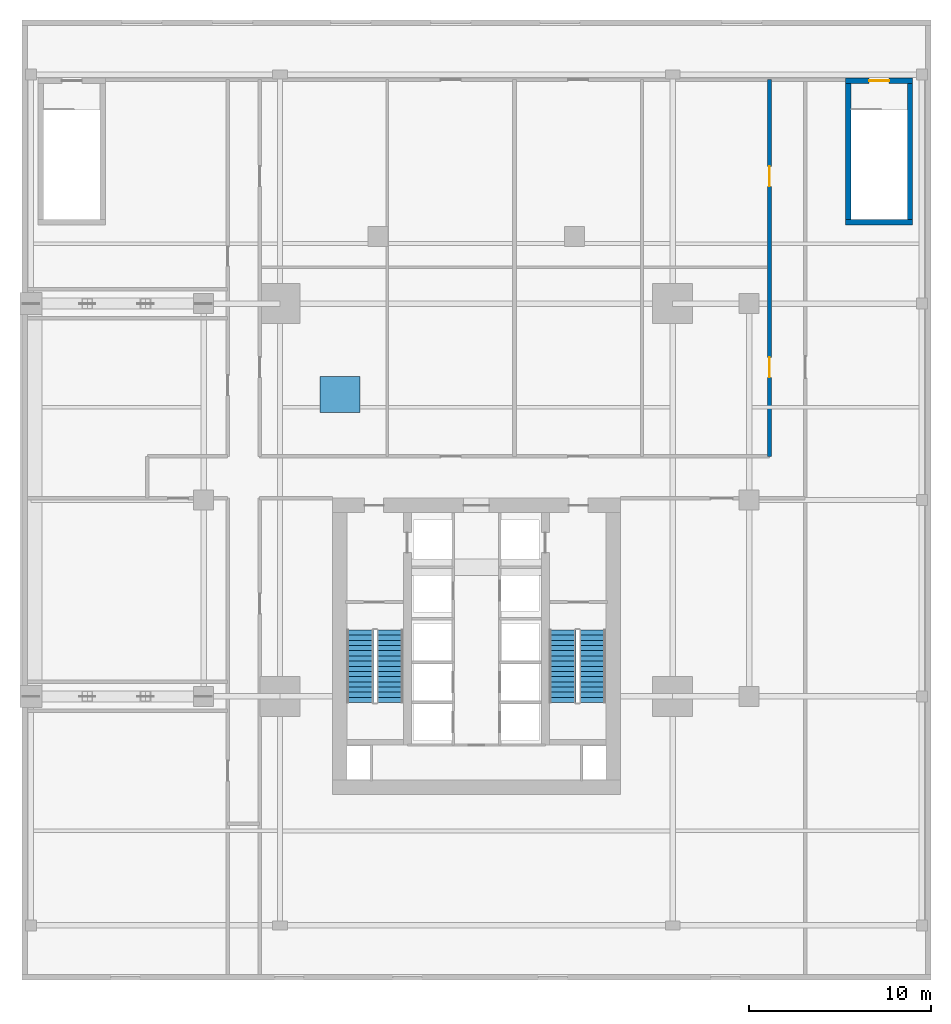
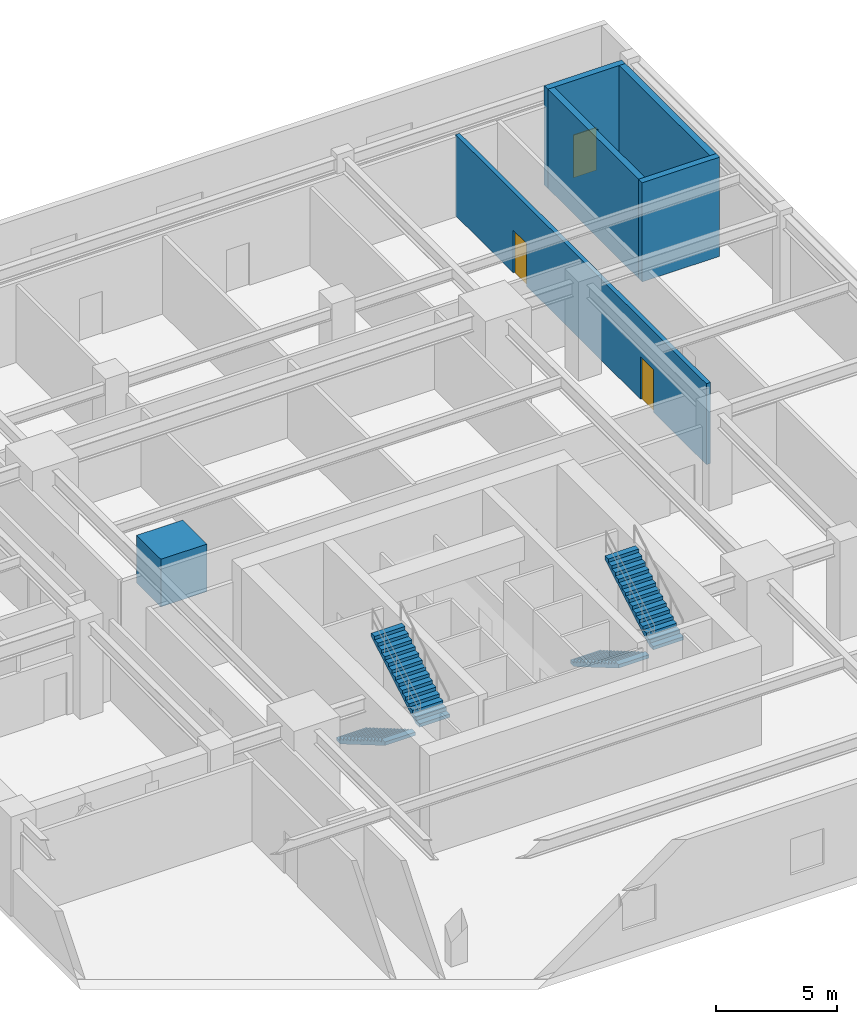
# One storey, part 5 of 7: 5 walls, 4 stair flights, 3 doors, 1 discrete accessory, 3 openings, 2 elements without a shape of their own.
"""IFC4 building model written with IfcOpenShell, lengths in metres."""

from ifc_helpers import new_model, si_unit, direction, frame, frame_2d, origin, origin_2d, place, context, subcontext, project, spatial, polyline, rectangle, outline, extrude, source, transform, mapped, material, layer, layer_set, type_object, type_shapes, element, fill, aggregate, save


model = new_model("IFC4")

# Units and contexts
model_context = context("Model", 3, precision=1e-05, world=origin(), true_north=direction((0.0, 1.0)))
body_context = subcontext(model_context, "Body", "Model", "MODEL_VIEW")
ifc_project = project(units=[si_unit("LENGTHUNIT", "METRE"), si_unit("AREAUNIT", "SQUARE_METRE"), si_unit("VOLUMEUNIT", "CUBIC_METRE"), si_unit("PLANEANGLEUNIT", "RADIAN"), si_unit("MASSUNIT", "GRAM", prefix="KILO")], contexts=[model_context])

# Site, building, storey
site_placement = place(None, origin())
site = spatial("IfcSite", under=ifc_project, at=site_placement, CompositionType="ELEMENT")
building_placement = place(site_placement, origin())
building = spatial("IfcBuilding", under=site, at=building_placement, Name="Krantzveldt Concourse Tower", CompositionType="ELEMENT")
storey_placement = place(building_placement, frame((0.0, 0.0, 20.0)))
storey = spatial("IfcBuildingStorey", under=building, at=storey_placement, Name="L04", CompositionType="ELEMENT", Elevation=20.0)

# Wall, openings, doors
ifc_material_1 = material(Name="Fire-rated gypsum plasterboard on steel stud", Category="steel")
ifc_layer_1 = layer(ifc_material_1, 0.199951171875, Name="Fire-rated gypsum plasterboard on steel stud", Category="steel")
ifc_layer_set_1 = layer_set([ifc_layer_1], Name="Fire-rated gypsum plasterboard on steel stud (WL-PART-FR200)")
wall_type_1 = type_object("IfcWallType", Name="WL-PART-FR200", PredefinedType="PARTITIONING", material=ifc_layer_set_1)
wall_1_placement = place(storey_placement, frame((52.1201171875, 29.10009765625, 0.0), z_axis=(0.0, 0.0, 1.0), x_axis=(0.0, 1.0, 0.0)))
wall_1 = element("IfcWall", 1, at=wall_1_placement, inside=storey, type_object=wall_type_1, Name="WP-L04-EL", PredefinedType="PARTITIONING", context=body_context, shape_type="SweptSolid", body=[
    extrude(rectangle(XDim=20.719970703125, YDim=0.199951171875, at=frame_2d((10.35986328125, 0.0))), origin(), (0.0, 0.0, 1.0), 4.080078125),
])
opening_1_placement = place(wall_1_placement, frame((4.35009765625, 0.0, 0.0)))
opening_1 = element("IfcOpeningElement", 2, at=opening_1_placement, cuts=wall_1, Name="Opening D-FD110", PredefinedType="OPENING", context=body_context, shape_type="SweptSolid", body=[
    extrude(rectangle(XDim=1.10009765625, YDim=2.14990234375, at=frame_2d((0.550048828125, 1.074951171875))), frame((0.0, 0.10986328125, 0.0), z_axis=(0.0, -1.0, 0.0), x_axis=(1.0, 0.0, 0.0)), (0.0, 0.0, 1.0), 0.219970703125),
])
opening_2_placement = place(wall_1_placement, frame((14.85009765625, 0.0, 0.0)))
opening_2 = element("IfcOpeningElement", 3, at=opening_2_placement, cuts=wall_1, Name="Opening D-FD110", PredefinedType="OPENING", context=body_context, shape_type="SweptSolid", body=[
    extrude(rectangle(XDim=1.10009765625, YDim=2.14990234375, at=frame_2d((0.550048828125, 1.074951171875))), frame((0.0, 0.10986328125, 0.0), z_axis=(0.0, -1.0, 0.0), x_axis=(1.0, 0.0, 0.0)), (0.0, 0.0, 1.0), 0.219970703125),
])
ifc_material_2 = material(Name="Galvanised steel", Category="steel")
door_type = type_object("IfcDoorType", Name="DR-FD120-1100", OperationType="SINGLE_SWING_LEFT", PredefinedType="DOOR", material=ifc_material_2)
door_1_placement = place(opening_1_placement, origin())
door_1 = element("IfcDoor", 4, at=door_1_placement, inside=storey, type_object=door_type, Name="DR-L04-TX1", OperationType="SINGLE_SWING_RIGHT", OverallHeight=2.14990234375, OverallWidth=1.10009765625, PredefinedType="DOOR", context=body_context, shape_type="SweptSolid", body=[
    extrude(rectangle(XDim=1.10009765625, YDim=2.14990234375, at=frame_2d((0.550048828125, 1.074951171875))), frame((0.0, 0.02490234375, 0.0), z_axis=(0.0, -1.0, 0.0), x_axis=(1.0, 0.0, 0.0)), (0.0, 0.0, 1.0), 0.050048828125),
])
fill(opening_1, door_1)
door_2_placement = place(opening_2_placement, origin())
door_2 = element("IfcDoor", 5, at=door_2_placement, inside=storey, type_object=door_type, Name="DR-L04-BMS1", OperationType="SINGLE_SWING_LEFT", OverallHeight=2.14990234375, OverallWidth=1.10009765625, PredefinedType="DOOR", context=body_context, shape_type="SweptSolid", body=[
    extrude(rectangle(XDim=1.10009765625, YDim=2.14990234375, at=frame_2d((0.550048828125, 1.074951171875))), frame((0.0, 0.02490234375, 0.0), z_axis=(0.0, -1.0, 0.0), x_axis=(1.0, 0.0, 0.0)), (0.0, 0.0, 1.0), 0.050048828125),
])
fill(opening_2, door_2)

# Wall
ifc_material_3 = material(Name="Concrete C50/60", Category="concrete")
ifc_layer_2 = layer(ifc_material_3, 0.300048828125, Name="Concrete C50/60", Category="concrete")
ifc_layer_set_2 = layer_set([ifc_layer_2], Name="Concrete C50/60 (WL-SHEAR-300)")
wall_type_2 = type_object("IfcWallType", Name="WL-SHEAR-300", PredefinedType="SHEAR", material=ifc_layer_set_2)
wall_2_placement = place(storey_placement, frame((56.300048828125, 41.969970703125, 0.0), z_axis=(0.0, 0.0, 1.0), x_axis=(1.0, 0.0, 0.0)))
element("IfcWall", 6, at=wall_2_placement, inside=storey, type_object=wall_type_2, Name="CW-L04-ST4-S", PredefinedType="SHEAR", context=body_context, shape_type="SweptSolid", body=[
    extrude(rectangle(XDim=3.699951171875, YDim=0.300048828125, at=frame_2d((1.85009765625, 0.0))), origin(), (0.0, 0.0, 1.0), 5.0),
])

# Wall, opening, door
wall_3_placement = place(storey_placement, frame((60.0, 49.75, 0.0), z_axis=(0.0, 0.0, 1.0), x_axis=(-1.0, 0.0, 0.0)))
wall_3 = element("IfcWall", 7, at=wall_3_placement, inside=storey, type_object=wall_type_2, Name="CW-L04-ST4-N", PredefinedType="SHEAR", context=body_context, shape_type="SweptSolid", body=[
    extrude(rectangle(XDim=3.699951171875, YDim=0.300048828125, at=frame_2d((1.85009765625, 0.0))), origin(), (0.0, 0.0, 1.0), 5.0),
])
opening_3_placement = place(wall_3_placement, frame((1.300048828125, 0.0, 0.0)))
opening_3 = element("IfcOpeningElement", 8, at=opening_3_placement, cuts=wall_3, Name="Opening D-FD110", PredefinedType="OPENING", context=body_context, shape_type="SweptSolid", body=[
    extrude(rectangle(XDim=1.10009765625, YDim=2.14990234375, at=frame_2d((0.550048828125, 1.074951171875))), frame((0.0, 0.16015625, 0.0), z_axis=(0.0, -1.0, 0.0), x_axis=(1.0, 0.0, 0.0)), (0.0, 0.0, 1.0), 0.320068359375),
])
door_3_placement = place(opening_3_placement, origin())
door_3 = element("IfcDoor", 9, at=door_3_placement, inside=storey, type_object=door_type, Name="DR-L04-ST4", OperationType="SINGLE_SWING_LEFT", OverallHeight=2.14990234375, OverallWidth=1.10009765625, PredefinedType="DOOR", context=body_context, shape_type="SweptSolid", body=[
    extrude(rectangle(XDim=1.10009765625, YDim=2.14990234375, at=frame_2d((0.550048828125, 1.074951171875))), frame((0.0, 0.02490234375, 0.0), z_axis=(0.0, -1.0, 0.0), x_axis=(1.0, 0.0, 0.0)), (0.0, 0.0, 1.0), 0.050048828125),
])
fill(opening_3, door_3)

# Walls
for number, where, z_axis, x_axis, name in (
    (10, (56.449951171875, 42.1201171875, 0.0), (0.0, 0.0, 1.0), (0.0, 1.0, 0.0), "CW-L04-ST4-W"),
    (11, (59.85009765625, 42.1201171875, 0.0), (0.0, 0.0, 1.0), (0.0, 1.0, 0.0), "CW-L04-ST4-E"),
):
    element("IfcWall", number, at=place(storey_placement, frame(where, z_axis=z_axis, x_axis=x_axis)), inside=storey, type_object=wall_type_2, Name=name, PredefinedType="SHEAR", context=body_context, shape_type="SweptSolid", body=[
        extrude(rectangle(XDim=7.47998046875, YDim=0.300048828125, at=frame_2d((3.739990234375, 0.0))), origin(), (0.0, 0.0, 1.0), 5.0),
    ])

# Stair, stair flights
ifc_material_4 = material(Name="Precast concrete C40/50", Category="concrete")
stair_type = type_object("IfcStairType", Name="STR-CORE-DOGLEG", PredefinedType="HALF_TURN_STAIR", material=ifc_material_4)
stair_1_placement = place(storey_placement, origin())
stair_1 = element("IfcStair", 12, at=stair_1_placement, inside=storey, type_object=stair_type, Name="L04 Protected Escape Stair ST-1", PredefinedType="HALF_TURN_STAIR")
stair_flight_type = type_object("IfcStairFlightType", Name="STF-CORE-1450", PredefinedType="STRAIGHT", material=ifc_material_4)
stair_flight_1_placement = place(storey_placement, frame((29.60498046875, 19.550048828125, 0.0), z_axis=(0.0, 0.0, 1.0), x_axis=(0.0, -1.0, 0.0)))
stair_flight_1 = element("IfcStairFlight", 13, at=stair_flight_1_placement, type_object=stair_flight_type, Name="ST-1 flight 1", NumberOfRisers=15, NumberOfTreads=14, PredefinedType="STRAIGHT", RiserHeight=0.166666667, TreadLength=0.285, context=body_context, shape_type="SweptSolid", body=[
    extrude(outline(polyline([(0.0, 0.0), (0.0, 0.166748046875), (0.284912109375, 0.166748046875), (0.284912109375, 0.333251953125), (0.570068359375, 0.333251953125), (0.570068359375, 0.5), (0.85498046875, 0.5), (0.85498046875, 0.666748046875), (1.139892578125, 0.666748046875), (1.139892578125, 0.833251953125), (1.425048828125, 0.833251953125), (1.425048828125, 1.0), (1.7099609375, 1.0), (1.7099609375, 1.166748046875), (1.9951171875, 1.166748046875), (1.9951171875, 1.333251953125), (2.280029296875, 1.333251953125), (2.280029296875, 1.5), (2.56494140625, 1.5), (2.56494140625, 1.666748046875), (2.85009765625, 1.666748046875), (2.85009765625, 1.833251953125), (3.135009765625, 1.833251953125), (3.135009765625, 2.0), (3.419921875, 2.0), (3.419921875, 2.166748046875), (3.705078125, 2.166748046875), (3.705078125, 2.333251953125), (3.989990234375, 2.333251953125), (3.989990234375, 2.5), (3.989990234375, 2.15966796875), (0.296875, 0.0), (0.0, 0.0)])), frame((0.0, 0.72509765625, 0.0), z_axis=(0.0, -1.0, 0.0), x_axis=(1.0, 0.0, 0.0)), (0.0, 0.0, 1.0), 1.449951171875),
])
stair_flight_2_placement = place(storey_placement, frame((31.2548828125, 15.56005859375, 2.5), z_axis=(0.0, 0.0, 1.0), x_axis=(0.0, 1.0, 0.0)))
stair_flight_2 = element("IfcStairFlight", 14, at=stair_flight_2_placement, type_object=stair_flight_type, Name="ST-1 flight 2", NumberOfRisers=15, NumberOfTreads=14, PredefinedType="STRAIGHT", RiserHeight=0.166666667, TreadLength=0.285, context=body_context, shape_type="SweptSolid", body=[
    extrude(outline(polyline([(0.0, 0.0), (0.0, 0.166748046875), (0.284912109375, 0.166748046875), (0.284912109375, 0.333251953125), (0.570068359375, 0.333251953125), (0.570068359375, 0.5), (0.85498046875, 0.5), (0.85498046875, 0.666748046875), (1.139892578125, 0.666748046875), (1.139892578125, 0.833251953125), (1.425048828125, 0.833251953125), (1.425048828125, 1.0), (1.7099609375, 1.0), (1.7099609375, 1.166748046875), (1.9951171875, 1.166748046875), (1.9951171875, 1.333251953125), (2.280029296875, 1.333251953125), (2.280029296875, 1.5), (2.56494140625, 1.5), (2.56494140625, 1.666748046875), (2.85009765625, 1.666748046875), (2.85009765625, 1.833251953125), (3.135009765625, 1.833251953125), (3.135009765625, 2.0), (3.419921875, 2.0), (3.419921875, 2.166748046875), (3.705078125, 2.166748046875), (3.705078125, 2.333251953125), (3.989990234375, 2.333251953125), (3.989990234375, 2.5), (3.989990234375, 2.15966796875), (0.296875, 0.0), (0.0, 0.0)])), frame((0.0, 0.72509765625, 0.0), z_axis=(0.0, -1.0, 0.0), x_axis=(1.0, 0.0, 0.0)), (0.0, 0.0, 1.0), 1.449951171875),
])
aggregate(stair_1, [stair_flight_1, stair_flight_2])

stair_2_placement = place(storey_placement, origin())
stair_2 = element("IfcStair", 15, at=stair_2_placement, inside=storey, type_object=stair_type, Name="L04 Protected Escape Stair ST-2", PredefinedType="HALF_TURN_STAIR")
stair_flight_3_placement = place(storey_placement, frame((40.7451171875, 19.550048828125, 0.0), z_axis=(0.0, 0.0, 1.0), x_axis=(0.0, -1.0, 0.0)))
stair_flight_3 = element("IfcStairFlight", 16, at=stair_flight_3_placement, type_object=stair_flight_type, Name="ST-2 flight 1", NumberOfRisers=15, NumberOfTreads=14, PredefinedType="STRAIGHT", RiserHeight=0.166666667, TreadLength=0.285, context=body_context, shape_type="SweptSolid", body=[
    extrude(outline(polyline([(0.0, 0.0), (0.0, 0.166748046875), (0.284912109375, 0.166748046875), (0.284912109375, 0.333251953125), (0.570068359375, 0.333251953125), (0.570068359375, 0.5), (0.85498046875, 0.5), (0.85498046875, 0.666748046875), (1.139892578125, 0.666748046875), (1.139892578125, 0.833251953125), (1.425048828125, 0.833251953125), (1.425048828125, 1.0), (1.7099609375, 1.0), (1.7099609375, 1.166748046875), (1.9951171875, 1.166748046875), (1.9951171875, 1.333251953125), (2.280029296875, 1.333251953125), (2.280029296875, 1.5), (2.56494140625, 1.5), (2.56494140625, 1.666748046875), (2.85009765625, 1.666748046875), (2.85009765625, 1.833251953125), (3.135009765625, 1.833251953125), (3.135009765625, 2.0), (3.419921875, 2.0), (3.419921875, 2.166748046875), (3.705078125, 2.166748046875), (3.705078125, 2.333251953125), (3.989990234375, 2.333251953125), (3.989990234375, 2.5), (3.989990234375, 2.15966796875), (0.296875, 0.0), (0.0, 0.0)])), frame((0.0, 0.72509765625, 0.0), z_axis=(0.0, -1.0, 0.0), x_axis=(1.0, 0.0, 0.0)), (0.0, 0.0, 1.0), 1.449951171875),
])
stair_flight_4_placement = place(storey_placement, frame((42.39501953125, 15.56005859375, 2.5), z_axis=(0.0, 0.0, 1.0), x_axis=(0.0, 1.0, 0.0)))
stair_flight_4 = element("IfcStairFlight", 17, at=stair_flight_4_placement, type_object=stair_flight_type, Name="ST-2 flight 2", NumberOfRisers=15, NumberOfTreads=14, PredefinedType="STRAIGHT", RiserHeight=0.166666667, TreadLength=0.285, context=body_context, shape_type="SweptSolid", body=[
    extrude(outline(polyline([(0.0, 0.0), (0.0, 0.166748046875), (0.284912109375, 0.166748046875), (0.284912109375, 0.333251953125), (0.570068359375, 0.333251953125), (0.570068359375, 0.5), (0.85498046875, 0.5), (0.85498046875, 0.666748046875), (1.139892578125, 0.666748046875), (1.139892578125, 0.833251953125), (1.425048828125, 0.833251953125), (1.425048828125, 1.0), (1.7099609375, 1.0), (1.7099609375, 1.166748046875), (1.9951171875, 1.166748046875), (1.9951171875, 1.333251953125), (2.280029296875, 1.333251953125), (2.280029296875, 1.5), (2.56494140625, 1.5), (2.56494140625, 1.666748046875), (2.85009765625, 1.666748046875), (2.85009765625, 1.833251953125), (3.135009765625, 1.833251953125), (3.135009765625, 2.0), (3.419921875, 2.0), (3.419921875, 2.166748046875), (3.705078125, 2.166748046875), (3.705078125, 2.333251953125), (3.989990234375, 2.333251953125), (3.989990234375, 2.5), (3.989990234375, 2.15966796875), (0.296875, 0.0), (0.0, 0.0)])), frame((0.0, 0.72509765625, 0.0), z_axis=(0.0, -1.0, 0.0), x_axis=(1.0, 0.0, 0.0)), (0.0, 0.0, 1.0), 1.449951171875),
])
aggregate(stair_2, [stair_flight_3, stair_flight_4])

# Discrete accessory
discrete_accessory_type = type_object("IfcDiscreteAccessoryType", Name="EQ-CHILLER-SKID", PredefinedType="USERDEFINED", material=ifc_material_2)
shared_shape = source(origin(), body_context, "Body", "SweptSolid", [
    extrude(rectangle(XDim=2.199951171875, YDim=2.0, at=origin_2d()), origin(), (0.0, 0.0, 1.0), 2.39990234375),
])
type_shapes(discrete_accessory_type, [shared_shape])
discrete_accessory_placement = place(storey_placement, frame((28.5, 32.5, 0.0), z_axis=(0.0, 0.0, 1.0), x_axis=(1.0, 0.0, 0.0)))
element("IfcDiscreteAccessory", 18, at=discrete_accessory_placement, inside=storey, type_object=discrete_accessory_type, Name="EQ-L04-CHL1", ObjectType="CHILLER SKID", PredefinedType="USERDEFINED", context=body_context, shape_type="MappedRepresentation", body=[
    mapped(shared_shape, transform((0.0, 0.0, 0.0), x_axis=(1.0, 0.0, 0.0), y_axis=(0.0, 1.0, 0.0), z_axis=(0.0, 0.0, 1.0), scale=1.0)),
])

save(model, "model.ifc")
